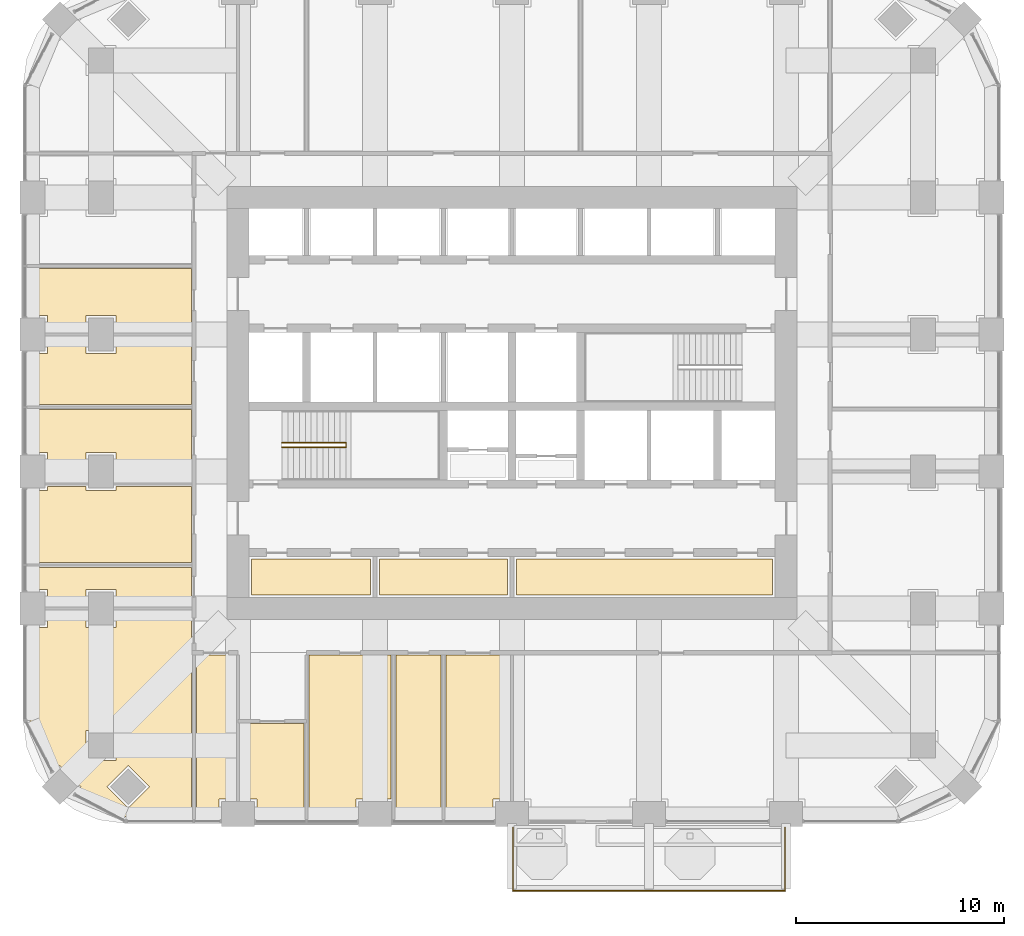
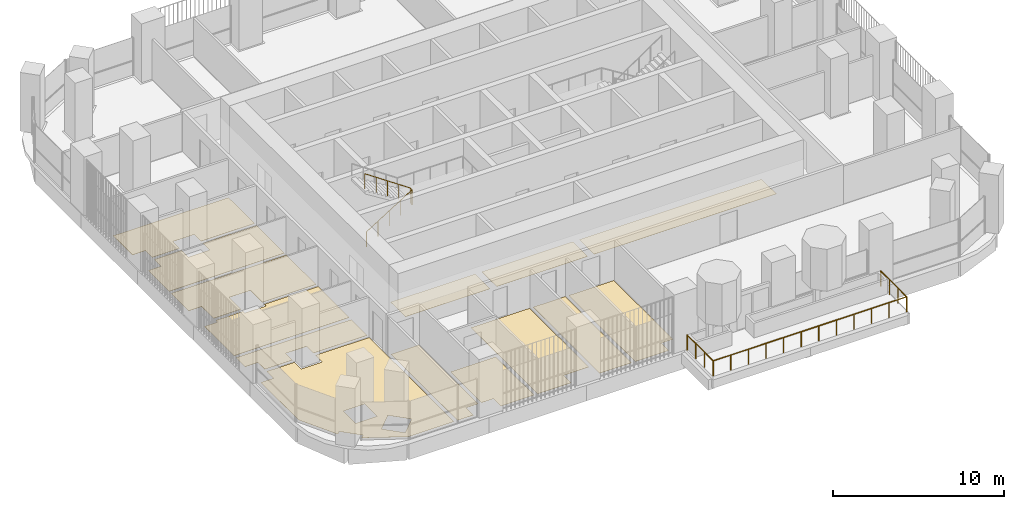
# One storey, part 16 of 19: 14 coverings, 2 railings.
"""IFC4 building model written with IfcOpenShell, lengths in metres."""

from ifc_helpers import new_model, si_unit, direction, frame, origin, place, context, subcontext, project, spatial, polyline, outline, extrude, material, layer, layer_set, type_object, element, save


model = new_model("IFC4")

# Units and contexts
model_context = context("Model", 3, precision=1e-05, world=origin(), true_north=direction((0.0, 1.0)))
body_context = subcontext(model_context, "Body", "Model", "MODEL_VIEW")
ifc_project = project(units=[si_unit("LENGTHUNIT", "METRE"), si_unit("AREAUNIT", "SQUARE_METRE"), si_unit("VOLUMEUNIT", "CUBIC_METRE"), si_unit("PLANEANGLEUNIT", "RADIAN"), si_unit("MASSUNIT", "GRAM", prefix="KILO")], contexts=[model_context])

# Site, building, storey
site_placement = place(None, origin())
site = spatial("IfcSite", under=ifc_project, at=site_placement, CompositionType="ELEMENT")
building_placement = place(site_placement, origin())
building = spatial("IfcBuilding", under=site, at=building_placement, Name="Cobogo Forest Laboratory Tower", CompositionType="ELEMENT")
storey_placement = place(building_placement, frame((0.0, 0.0, 164.10009765625)))
storey = spatial("IfcBuildingStorey", under=building, at=storey_placement, Name="L37", CompositionType="ELEMENT", Elevation=164.10009765625)

# Railing
ifc_material_1 = material(Name="Laminated glass balustrade", Category="glass")
railing_type_1 = type_object("IfcRailingType", Name="BG1 glass balustrade 1100", PredefinedType="GUARDRAIL", material=ifc_material_1)
railing_1_placement = place(storey_placement, frame((26.449951171875, 2.64990234375, 0.0)))
element("IfcRailing", 1, at=railing_1_placement, inside=storey, type_object=railing_type_1, Name="Balcony balustrade BAL-S1 L37", PredefinedType="GUARDRAIL", context=body_context, shape_type="SweptSolid", body=[
    extrude(outline(polyline([(0.022216796875, 0.00927734375), (0.00927734375, 0.022216796875), (-0.00927734375, 0.022216796875), (-0.022216796875, 0.00927734375), (-0.022216796875, -0.00927734375), (-0.00927734375, -0.022216796875), (0.00927734375, -0.022216796875), (0.022216796875, -0.00927734375), (0.022216796875, 0.00927734375)])), frame((0.0, 0.0, 1.077880859375), z_axis=(0.0, -1.0, 0.0), x_axis=(1.0, 0.0, 0.0)), (0.0, 0.0, 1.0), 3.0498046875),
    extrude(outline(polyline([(0.022216796875, 0.00927734375), (0.00927734375, 0.022216796875), (-0.00927734375, 0.022216796875), (-0.022216796875, 0.00927734375), (-0.022216796875, -0.00927734375), (-0.00927734375, -0.022216796875), (0.00927734375, -0.022216796875), (0.022216796875, -0.00927734375), (0.022216796875, 0.00927734375)])), frame((0.0, -3.0498046875, 1.077880859375), z_axis=(1.0, 0.0, 0.0), x_axis=(0.0, 1.0, 0.0)), (0.0, 0.0, 1.0), 13.10009765625),
    extrude(outline(polyline([(0.022216796875, 0.00927734375), (0.00927734375, 0.022216796875), (-0.00927734375, 0.022216796875), (-0.022216796875, 0.00927734375), (-0.022216796875, -0.00927734375), (-0.00927734375, -0.022216796875), (0.00927734375, -0.022216796875), (0.022216796875, -0.00927734375), (0.022216796875, 0.00927734375)])), frame((13.10009765625, -3.0498046875, 1.077880859375), z_axis=(0.0, 1.0, 0.0), x_axis=(-1.0, 0.0, 0.0)), (0.0, 0.0, 1.0), 3.0498046875),
    extrude(outline(polyline([(0.019287109375, 0.008056640625), (0.008056640625, 0.019287109375), (-0.008056640625, 0.019287109375), (-0.019287109375, 0.008056640625), (-0.019287109375, -0.008056640625), (-0.008056640625, -0.019287109375), (0.008056640625, -0.019287109375), (0.019287109375, -0.008056640625), (0.019287109375, 0.008056640625)])), origin(), (0.0, 0.0, 1.0), 1.077880859375),
    extrude(outline(polyline([(0.019287109375, 0.008056640625), (0.008056640625, 0.019287109375), (-0.008056640625, 0.019287109375), (-0.019287109375, 0.008056640625), (-0.019287109375, -0.008056640625), (-0.008056640625, -0.019287109375), (0.008056640625, -0.019287109375), (0.019287109375, -0.008056640625), (0.019287109375, 0.008056640625)])), frame((0.0, -1.0166015625, 0.0)), (0.0, 0.0, 1.0), 1.077880859375),
    extrude(outline(polyline([(0.019287109375, 0.008056640625), (0.008056640625, 0.019287109375), (-0.008056640625, 0.019287109375), (-0.019287109375, 0.008056640625), (-0.019287109375, -0.008056640625), (-0.008056640625, -0.019287109375), (0.008056640625, -0.019287109375), (0.019287109375, -0.008056640625), (0.019287109375, 0.008056640625)])), frame((0.0, -2.033203125, 0.0)), (0.0, 0.0, 1.0), 1.077880859375),
    extrude(outline(polyline([(0.019287109375, 0.008056640625), (0.008056640625, 0.019287109375), (-0.008056640625, 0.019287109375), (-0.019287109375, 0.008056640625), (-0.019287109375, -0.008056640625), (-0.008056640625, -0.019287109375), (0.008056640625, -0.019287109375), (0.019287109375, -0.008056640625), (0.019287109375, 0.008056640625)])), frame((0.0, -3.0498046875, 0.0)), (0.0, 0.0, 1.0), 1.077880859375),
    extrude(outline(polyline([(0.019287109375, 0.008056640625), (0.008056640625, 0.019287109375), (-0.008056640625, 0.019287109375), (-0.019287109375, 0.008056640625), (-0.019287109375, -0.008056640625), (-0.008056640625, -0.019287109375), (0.008056640625, -0.019287109375), (0.019287109375, -0.008056640625), (0.019287109375, 0.008056640625)])), frame((1.19091796875, -3.0498046875, 0.0)), (0.0, 0.0, 1.0), 1.077880859375),
    extrude(outline(polyline([(0.019287109375, 0.008056640625), (0.008056640625, 0.019287109375), (-0.008056640625, 0.019287109375), (-0.019287109375, 0.008056640625), (-0.019287109375, -0.008056640625), (-0.008056640625, -0.019287109375), (0.008056640625, -0.019287109375), (0.019287109375, -0.008056640625), (0.019287109375, 0.008056640625)])), frame((2.3818359375, -3.0498046875, 0.0)), (0.0, 0.0, 1.0), 1.077880859375),
    extrude(outline(polyline([(0.019287109375, 0.008056640625), (0.008056640625, 0.019287109375), (-0.008056640625, 0.019287109375), (-0.019287109375, 0.008056640625), (-0.019287109375, -0.008056640625), (-0.008056640625, -0.019287109375), (0.008056640625, -0.019287109375), (0.019287109375, -0.008056640625), (0.019287109375, 0.008056640625)])), frame((3.57275390625, -3.0498046875, 0.0)), (0.0, 0.0, 1.0), 1.077880859375),
    extrude(outline(polyline([(0.019287109375, 0.008056640625), (0.008056640625, 0.019287109375), (-0.008056640625, 0.019287109375), (-0.019287109375, 0.008056640625), (-0.019287109375, -0.008056640625), (-0.008056640625, -0.019287109375), (0.008056640625, -0.019287109375), (0.019287109375, -0.008056640625), (0.019287109375, 0.008056640625)])), frame((4.763671875, -3.0498046875, 0.0)), (0.0, 0.0, 1.0), 1.077880859375),
    extrude(outline(polyline([(0.019287109375, 0.008056640625), (0.008056640625, 0.019287109375), (-0.008056640625, 0.019287109375), (-0.019287109375, 0.008056640625), (-0.019287109375, -0.008056640625), (-0.008056640625, -0.019287109375), (0.008056640625, -0.019287109375), (0.019287109375, -0.008056640625), (0.019287109375, 0.008056640625)])), frame((5.95458984375, -3.0498046875, 0.0)), (0.0, 0.0, 1.0), 1.077880859375),
    extrude(outline(polyline([(0.019287109375, 0.008056640625), (0.008056640625, 0.019287109375), (-0.008056640625, 0.019287109375), (-0.019287109375, 0.008056640625), (-0.019287109375, -0.008056640625), (-0.008056640625, -0.019287109375), (0.008056640625, -0.019287109375), (0.019287109375, -0.008056640625), (0.019287109375, 0.008056640625)])), frame((7.1455078125, -3.0498046875, 0.0)), (0.0, 0.0, 1.0), 1.077880859375),
    extrude(outline(polyline([(0.019287109375, 0.008056640625), (0.008056640625, 0.019287109375), (-0.008056640625, 0.019287109375), (-0.019287109375, 0.008056640625), (-0.019287109375, -0.008056640625), (-0.008056640625, -0.019287109375), (0.008056640625, -0.019287109375), (0.019287109375, -0.008056640625), (0.019287109375, 0.008056640625)])), frame((8.33642578125, -3.0498046875, 0.0)), (0.0, 0.0, 1.0), 1.077880859375),
    extrude(outline(polyline([(0.019287109375, 0.008056640625), (0.008056640625, 0.019287109375), (-0.008056640625, 0.019287109375), (-0.019287109375, 0.008056640625), (-0.019287109375, -0.008056640625), (-0.008056640625, -0.019287109375), (0.008056640625, -0.019287109375), (0.019287109375, -0.008056640625), (0.019287109375, 0.008056640625)])), frame((9.52734375, -3.0498046875, 0.0)), (0.0, 0.0, 1.0), 1.077880859375),
    extrude(outline(polyline([(0.019287109375, 0.008056640625), (0.008056640625, 0.019287109375), (-0.008056640625, 0.019287109375), (-0.019287109375, 0.008056640625), (-0.019287109375, -0.008056640625), (-0.008056640625, -0.019287109375), (0.008056640625, -0.019287109375), (0.019287109375, -0.008056640625), (0.019287109375, 0.008056640625)])), frame((10.71826171875, -3.0498046875, 0.0)), (0.0, 0.0, 1.0), 1.077880859375),
    extrude(outline(polyline([(0.019287109375, 0.008056640625), (0.008056640625, 0.019287109375), (-0.008056640625, 0.019287109375), (-0.019287109375, 0.008056640625), (-0.019287109375, -0.008056640625), (-0.008056640625, -0.019287109375), (0.008056640625, -0.019287109375), (0.019287109375, -0.008056640625), (0.019287109375, 0.008056640625)])), frame((11.9091796875, -3.0498046875, 0.0)), (0.0, 0.0, 1.0), 1.077880859375),
    extrude(outline(polyline([(0.019287109375, 0.008056640625), (0.008056640625, 0.019287109375), (-0.008056640625, 0.019287109375), (-0.019287109375, 0.008056640625), (-0.019287109375, -0.008056640625), (-0.008056640625, -0.019287109375), (0.008056640625, -0.019287109375), (0.019287109375, -0.008056640625), (0.019287109375, 0.008056640625)])), frame((13.10009765625, -3.0498046875, 0.0)), (0.0, 0.0, 1.0), 1.077880859375),
    extrude(outline(polyline([(0.019287109375, 0.008056640625), (0.008056640625, 0.019287109375), (-0.008056640625, 0.019287109375), (-0.019287109375, 0.008056640625), (-0.019287109375, -0.008056640625), (-0.008056640625, -0.019287109375), (0.008056640625, -0.019287109375), (0.019287109375, -0.008056640625), (0.019287109375, 0.008056640625)])), frame((13.10009765625, -2.033203125, 0.0)), (0.0, 0.0, 1.0), 1.077880859375),
    extrude(outline(polyline([(0.019287109375, 0.008056640625), (0.008056640625, 0.019287109375), (-0.008056640625, 0.019287109375), (-0.019287109375, 0.008056640625), (-0.019287109375, -0.008056640625), (-0.008056640625, -0.019287109375), (0.008056640625, -0.019287109375), (0.019287109375, -0.008056640625), (0.019287109375, 0.008056640625)])), frame((13.10009765625, -1.0166015625, 0.0)), (0.0, 0.0, 1.0), 1.077880859375),
    extrude(outline(polyline([(0.019287109375, 0.008056640625), (0.008056640625, 0.019287109375), (-0.008056640625, 0.019287109375), (-0.019287109375, 0.008056640625), (-0.019287109375, -0.008056640625), (-0.008056640625, -0.019287109375), (0.008056640625, -0.019287109375), (0.019287109375, -0.008056640625), (0.019287109375, 0.008056640625)])), frame((13.10009765625, 0.0, 0.0)), (0.0, 0.0, 1.0), 1.077880859375),
])

# Coverings
ifc_material_2 = material(Name="Carpet tile on raised access floor", Category="flooring")
ifc_layer_1 = layer(ifc_material_2, 0.008056640625)
ifc_layer_set_1 = layer_set([ifc_layer_1], Name="CT1 carpet tile floor 8")
covering_type_1 = type_object("IfcCoveringType", Name="CT1 carpet tile floor 8", PredefinedType="FLOORING", material=ifc_layer_set_1)
covering_1_placement = place(storey_placement, origin())
element("IfcCovering", 2, at=covering_1_placement, inside=storey, type_object=covering_type_1, Name="Carpet floor L37-03", PredefinedType="FLOORING", context=body_context, shape_type="SweptSolid", body=[
    extrude(outline(polyline([(20.580078125, 4.02001953125), (18.8798828125, 4.02001953125), (18.8798828125, 3.14990234375), (16.6201171875, 3.14990234375), (16.6201171875, 10.955078125), (20.580078125, 10.955078125), (20.580078125, 4.02001953125)])), origin(), (0.0, 0.0, 1.0), 0.0078125),
])
covering_2_placement = place(storey_placement, origin())
element("IfcCovering", 3, at=covering_2_placement, inside=storey, type_object=covering_type_1, Name="Carpet floor L37-20", PredefinedType="FLOORING", context=body_context, shape_type="SweptSolid", body=[
    extrude(outline(polyline([(10.955078125, 26.52001953125), (7.320068359375, 26.52001953125), (7.320068359375, 27.320068359375), (5.8798828125, 27.320068359375), (5.8798828125, 26.52001953125), (4.02001953125, 26.52001953125), (4.02001953125, 27.320068359375), (3.14990234375, 27.320068359375), (3.14990234375, 29.580078125), (10.955078125, 29.580078125), (10.955078125, 26.52001953125)])), origin(), (0.0, 0.0, 1.0), 0.0078125),
])
covering_3_placement = place(storey_placement, origin())
element("IfcCovering", 4, at=covering_3_placement, inside=storey, type_object=covering_type_1, Name="Carpet floor L37-31", PredefinedType="FLOORING", context=body_context, shape_type="SweptSolid", body=[
    extrude(outline(polyline([(19.580078125, 13.844970703125), (13.844970703125, 13.844970703125), (13.844970703125, 15.580078125), (19.580078125, 15.580078125), (19.580078125, 13.844970703125)])), origin(), (0.0, 0.0, 1.0), 0.0078125),
])
covering_4_placement = place(storey_placement, origin())
element("IfcCovering", 5, at=covering_4_placement, inside=storey, type_object=covering_type_1, Name="Carpet floor L37-32", PredefinedType="FLOORING", context=body_context, shape_type="SweptSolid", body=[
    extrude(outline(polyline([(26.179931640625, 13.844970703125), (20.02001953125, 13.844970703125), (20.02001953125, 15.580078125), (26.179931640625, 15.580078125), (26.179931640625, 13.844970703125)])), origin(), (0.0, 0.0, 1.0), 0.0078125),
])
covering_5_placement = place(storey_placement, origin())
element("IfcCovering", 6, at=covering_5_placement, inside=storey, type_object=covering_type_1, Name="Carpet floor L37-33", PredefinedType="FLOORING", context=body_context, shape_type="SweptSolid", body=[
    extrude(outline(polyline([(38.955078125, 13.844970703125), (26.6201171875, 13.844970703125), (26.6201171875, 15.580078125), (38.955078125, 15.580078125), (38.955078125, 13.844970703125)])), origin(), (0.0, 0.0, 1.0), 0.0078125),
])

# Railing
ifc_material_3 = material(Name="Steel balustrade", Category="steel")
railing_type_2 = type_object("IfcRailingType", Name="GR stair guard 1100", PredefinedType="GUARDRAIL", material=ifc_material_3)
railing_2_placement = place(storey_placement, frame((15.324951171875, 20.969970703125, 0.1748046875)))
element("IfcRailing", 7, at=railing_2_placement, inside=storey, type_object=railing_type_2, Name="Stair guard ST1 L37", PredefinedType="GUARDRAIL", context=body_context, shape_type="SweptSolid", body=[
    extrude(outline(polyline([(0.022216796875, 0.00927734375), (0.00927734375, 0.022216796875), (-0.00927734375, 0.022216796875), (-0.022216796875, 0.00927734375), (-0.022216796875, -0.00927734375), (-0.00927734375, -0.022216796875), (0.00927734375, -0.022216796875), (0.022216796875, -0.00927734375), (0.022216796875, 0.00927734375)])), frame((0.0, 0.0, 1.077880859375), z_axis=(0.847998304005, 0.0, 0.529998940003), x_axis=(0.0, 1.0, 0.0)), (0.0, 0.0, 1.0), 3.632080078125),
    extrude(outline(polyline([(0.022216796875, 0.00927734375), (0.00927734375, 0.022216796875), (-0.00927734375, 0.022216796875), (-0.022216796875, 0.00927734375), (-0.022216796875, -0.00927734375), (-0.00927734375, -0.022216796875), (0.00927734375, -0.022216796875), (0.022216796875, -0.00927734375), (0.022216796875, 0.00927734375)])), frame((3.080078125, 0.0, 3.0029296875), z_axis=(0.0, 1.0, 0.0), x_axis=(-1.0, 0.0, 0.0)), (0.0, 0.0, 1.0), 0.2099609375),
    extrude(outline(polyline([(0.022216796875, 0.00927734375), (0.00927734375, 0.022216796875), (-0.00927734375, 0.022216796875), (-0.022216796875, 0.00927734375), (-0.022216796875, -0.00927734375), (-0.00927734375, -0.022216796875), (0.00927734375, -0.022216796875), (0.022216796875, -0.00927734375), (0.022216796875, 0.00927734375)])), frame((3.080078125, 0.2099609375, 3.0029296875), z_axis=(-0.826221800596, 0.0, 0.563344953133), x_axis=(0.0, -1.0, 0.0)), (0.0, 0.0, 1.0), 3.72802734375),
    extrude(outline(polyline([(0.019287109375, 0.008056640625), (0.008056640625, 0.019287109375), (-0.008056640625, 0.019287109375), (-0.019287109375, 0.008056640625), (-0.019287109375, -0.008056640625), (-0.008056640625, -0.019287109375), (0.008056640625, -0.019287109375), (0.019287109375, -0.008056640625), (0.019287109375, 0.008056640625)])), origin(), (0.0, 0.0, 1.0), 1.077880859375),
    extrude(outline(polyline([(0.019287109375, 0.008056640625), (0.008056640625, 0.019287109375), (-0.008056640625, 0.019287109375), (-0.019287109375, 0.008056640625), (-0.019287109375, -0.008056640625), (-0.008056640625, -0.019287109375), (0.008056640625, -0.019287109375), (0.019287109375, -0.008056640625), (0.019287109375, 0.008056640625)])), frame((0.77001953125, 0.0, 0.481201171875)), (0.0, 0.0, 1.0), 1.077880859375),
    extrude(outline(polyline([(0.019287109375, 0.008056640625), (0.008056640625, 0.019287109375), (-0.008056640625, 0.019287109375), (-0.019287109375, 0.008056640625), (-0.019287109375, -0.008056640625), (-0.008056640625, -0.019287109375), (0.008056640625, -0.019287109375), (0.019287109375, -0.008056640625), (0.019287109375, 0.008056640625)])), frame((1.5400390625, 0.0, 0.96240234375)), (0.0, 0.0, 1.0), 1.077880859375),
    extrude(outline(polyline([(0.019287109375, 0.008056640625), (0.008056640625, 0.019287109375), (-0.008056640625, 0.019287109375), (-0.019287109375, 0.008056640625), (-0.019287109375, -0.008056640625), (-0.008056640625, -0.019287109375), (0.008056640625, -0.019287109375), (0.019287109375, -0.008056640625), (0.019287109375, 0.008056640625)])), frame((2.31005859375, 0.0, 1.44384765625)), (0.0, 0.0, 1.0), 1.077880859375),
    extrude(outline(polyline([(0.019287109375, 0.008056640625), (0.008056640625, 0.019287109375), (-0.008056640625, 0.019287109375), (-0.019287109375, 0.008056640625), (-0.019287109375, -0.008056640625), (-0.008056640625, -0.019287109375), (0.008056640625, -0.019287109375), (0.019287109375, -0.008056640625), (0.019287109375, 0.008056640625)])), frame((3.080078125, 0.0, 1.925048828125)), (0.0, 0.0, 1.0), 1.077880859375),
    extrude(outline(polyline([(0.019287109375, 0.008056640625), (0.008056640625, 0.019287109375), (-0.008056640625, 0.019287109375), (-0.019287109375, 0.008056640625), (-0.019287109375, -0.008056640625), (-0.008056640625, -0.019287109375), (0.008056640625, -0.019287109375), (0.019287109375, -0.008056640625), (0.019287109375, 0.008056640625)])), frame((3.080078125, 0.2099609375, 1.925048828125)), (0.0, 0.0, 1.0), 1.077880859375),
    extrude(outline(polyline([(0.019287109375, 0.008056640625), (0.008056640625, 0.019287109375), (-0.008056640625, 0.019287109375), (-0.019287109375, 0.008056640625), (-0.019287109375, -0.008056640625), (-0.008056640625, -0.019287109375), (0.008056640625, -0.019287109375), (0.019287109375, -0.008056640625), (0.019287109375, 0.008056640625)])), frame((2.31005859375, 0.2099609375, 2.4501953125)), (0.0, 0.0, 1.0), 1.077880859375),
    extrude(outline(polyline([(0.019287109375, 0.008056640625), (0.008056640625, 0.019287109375), (-0.008056640625, 0.019287109375), (-0.019287109375, 0.008056640625), (-0.019287109375, -0.008056640625), (-0.008056640625, -0.019287109375), (0.008056640625, -0.019287109375), (0.019287109375, -0.008056640625), (0.019287109375, 0.008056640625)])), frame((1.5400390625, 0.2099609375, 2.97509765625)), (0.0, 0.0, 1.0), 1.077880859375),
    extrude(outline(polyline([(0.019287109375, 0.008056640625), (0.008056640625, 0.019287109375), (-0.008056640625, 0.019287109375), (-0.019287109375, 0.008056640625), (-0.019287109375, -0.008056640625), (-0.008056640625, -0.019287109375), (0.008056640625, -0.019287109375), (0.019287109375, -0.008056640625), (0.019287109375, 0.008056640625)])), frame((0.77001953125, 0.2099609375, 3.5)), (0.0, 0.0, 1.0), 1.077880859375),
    extrude(outline(polyline([(0.019287109375, 0.008056640625), (0.008056640625, 0.019287109375), (-0.008056640625, 0.019287109375), (-0.019287109375, 0.008056640625), (-0.019287109375, -0.008056640625), (-0.008056640625, -0.019287109375), (0.008056640625, -0.019287109375), (0.019287109375, -0.008056640625), (0.019287109375, 0.008056640625)])), frame((0.0, 0.2099609375, 4.025146484375)), (0.0, 0.0, 1.0), 1.077880859375),
])

# Coverings
ifc_material_4 = material(Name="Static-dissipative vinyl flooring", Category="flooring")
ifc_layer_2 = layer(ifc_material_4, 0.0029296875)
ifc_layer_set_2 = layer_set([ifc_layer_2], Name="SD1 static-dissipative vinyl floor 3")
covering_type_2 = type_object("IfcCoveringType", Name="SD1 static-dissipative vinyl floor 3", PredefinedType="FLOORING", material=ifc_layer_set_2)
covering_6_placement = place(storey_placement, origin())
element("IfcCovering", 8, at=covering_6_placement, inside=storey, type_object=covering_type_2, Name="Static-dissipative floor L37-01", PredefinedType="FLOORING", context=body_context, shape_type="SweptSolid", body=[
    extrude(outline(polyline([(13.080078125, 10.955078125), (13.080078125, 4.02001953125), (12.280029296875, 4.02001953125), (12.280029296875, 3.14990234375), (11.195068359375, 3.14990234375), (11.195068359375, 10.955078125), (13.080078125, 10.955078125)])), origin(), (0.0, 0.0, 1.0), 0.0029296875),
])
covering_7_placement = place(storey_placement, origin())
element("IfcCovering", 9, at=covering_7_placement, inside=storey, type_object=covering_type_2, Name="Static-dissipative floor L37-02", PredefinedType="FLOORING", context=body_context, shape_type="SweptSolid", body=[
    extrude(outline(polyline([(16.3798828125, 7.655029296875), (16.3798828125, 3.14990234375), (14.1201171875, 3.14990234375), (14.1201171875, 4.02001953125), (13.320068359375, 4.02001953125), (13.320068359375, 7.655029296875), (16.3798828125, 7.655029296875)])), origin(), (0.0, 0.0, 1.0), 0.0029296875),
])
covering_8_placement = place(storey_placement, origin())
element("IfcCovering", 10, at=covering_8_placement, inside=storey, type_object=covering_type_2, Name="Static-dissipative floor L37-05", PredefinedType="FLOORING", context=body_context, shape_type="SweptSolid", body=[
    extrude(outline(polyline([(26.280029296875, 10.955078125), (26.280029296875, 4.02001953125), (25.47998046875, 4.02001953125), (25.47998046875, 3.14990234375), (23.219970703125, 3.14990234375), (23.219970703125, 10.955078125), (26.280029296875, 10.955078125)])), origin(), (0.0, 0.0, 1.0), 0.0029296875),
])
covering_9_placement = place(storey_placement, origin())
element("IfcCovering", 11, at=covering_9_placement, inside=storey, type_object=covering_type_2, Name="Static-dissipative floor L37-15", PredefinedType="FLOORING", context=body_context, shape_type="SweptSolid", body=[
    extrude(outline(polyline([(10.955078125, 3.14990234375), (7.84912109375, 3.14990234375), (5.434326171875, 4.416015625), (5.63623046875, 4.617919921875), (4.617919921875, 5.63623046875), (4.416015625, 5.434326171875), (3.14990234375, 7.84912109375), (3.14990234375, 12.280029296875), (4.02001953125, 12.280029296875), (4.02001953125, 13.080078125), (5.8798828125, 13.080078125), (5.8798828125, 12.280029296875), (7.320068359375, 12.280029296875), (7.320068359375, 13.080078125), (10.955078125, 13.080078125), (10.955078125, 3.14990234375)]), holes=[polyline([(7.91796875, 3.599853515625), (8.936279296875, 4.617919921875), (7.91796875, 5.63623046875), (6.89990234375, 4.617919921875), (7.91796875, 3.599853515625)]), polyline([(5.8798828125, 5.8798828125), (7.320068359375, 5.8798828125), (7.320068359375, 7.320068359375), (5.8798828125, 7.320068359375), (5.8798828125, 5.8798828125)])]), origin(), (0.0, 0.0, 1.0), 0.0029296875),
])
ifc_material_5 = material(Name="Ceramic floor tile", Category="flooring")
ifc_layer_3 = layer(ifc_material_5, 0.010009765625)
ifc_layer_set_3 = layer_set([ifc_layer_3], Name="TF1 ceramic tile floor 10")
covering_type_3 = type_object("IfcCoveringType", Name="TF1 ceramic tile floor 10", PredefinedType="FLOORING", material=ifc_layer_set_3)
covering_10_placement = place(storey_placement, origin())
element("IfcCovering", 12, at=covering_10_placement, inside=storey, type_object=covering_type_3, Name="Tile floor L37-04", PredefinedType="FLOORING", context=body_context, shape_type="SweptSolid", body=[
    extrude(outline(polyline([(20.820068359375, 10.955078125), (22.97998046875, 10.955078125), (22.97998046875, 3.14990234375), (20.820068359375, 3.14990234375), (20.820068359375, 10.955078125)])), origin(), (0.0, 0.0, 1.0), 0.010009765625),
])
covering_11_placement = place(storey_placement, origin())
element("IfcCovering", 13, at=covering_11_placement, inside=storey, type_object=covering_type_3, Name="Tile floor L37-16", PredefinedType="FLOORING", context=body_context, shape_type="SweptSolid", body=[
    extrude(outline(polyline([(10.955078125, 13.320068359375), (7.320068359375, 13.320068359375), (7.320068359375, 14.1201171875), (5.8798828125, 14.1201171875), (5.8798828125, 13.320068359375), (4.02001953125, 13.320068359375), (4.02001953125, 14.1201171875), (3.14990234375, 14.1201171875), (3.14990234375, 15.179931640625), (10.955078125, 15.179931640625), (10.955078125, 13.320068359375)])), origin(), (0.0, 0.0, 1.0), 0.010009765625),
])
covering_12_placement = place(storey_placement, origin())
element("IfcCovering", 14, at=covering_12_placement, inside=storey, type_object=covering_type_3, Name="Tile floor L37-17", PredefinedType="FLOORING", context=body_context, shape_type="SweptSolid", body=[
    extrude(outline(polyline([(10.955078125, 15.419921875), (3.14990234375, 15.419921875), (3.14990234375, 18.8798828125), (4.02001953125, 18.8798828125), (4.02001953125, 19.080078125), (5.8798828125, 19.080078125), (5.8798828125, 18.8798828125), (7.320068359375, 18.8798828125), (7.320068359375, 19.080078125), (10.955078125, 19.080078125), (10.955078125, 15.419921875)])), origin(), (0.0, 0.0, 1.0), 0.010009765625),
])
covering_13_placement = place(storey_placement, origin())
element("IfcCovering", 15, at=covering_13_placement, inside=storey, type_object=covering_type_3, Name="Tile floor L37-18", PredefinedType="FLOORING", context=body_context, shape_type="SweptSolid", body=[
    extrude(outline(polyline([(10.955078125, 19.320068359375), (7.320068359375, 19.320068359375), (7.320068359375, 20.719970703125), (5.8798828125, 20.719970703125), (5.8798828125, 19.320068359375), (4.02001953125, 19.320068359375), (4.02001953125, 20.719970703125), (3.14990234375, 20.719970703125), (3.14990234375, 22.780029296875), (10.955078125, 22.780029296875), (10.955078125, 19.320068359375)])), origin(), (0.0, 0.0, 1.0), 0.010009765625),
])
covering_14_placement = place(storey_placement, origin())
element("IfcCovering", 16, at=covering_14_placement, inside=storey, type_object=covering_type_3, Name="Tile floor L37-19", PredefinedType="FLOORING", context=body_context, shape_type="SweptSolid", body=[
    extrude(outline(polyline([(10.955078125, 23.02001953125), (3.14990234375, 23.02001953125), (3.14990234375, 25.47998046875), (4.02001953125, 25.47998046875), (4.02001953125, 26.280029296875), (5.8798828125, 26.280029296875), (5.8798828125, 25.47998046875), (7.320068359375, 25.47998046875), (7.320068359375, 26.280029296875), (10.955078125, 26.280029296875), (10.955078125, 23.02001953125)])), origin(), (0.0, 0.0, 1.0), 0.010009765625),
])

save(model, "model.ifc")
